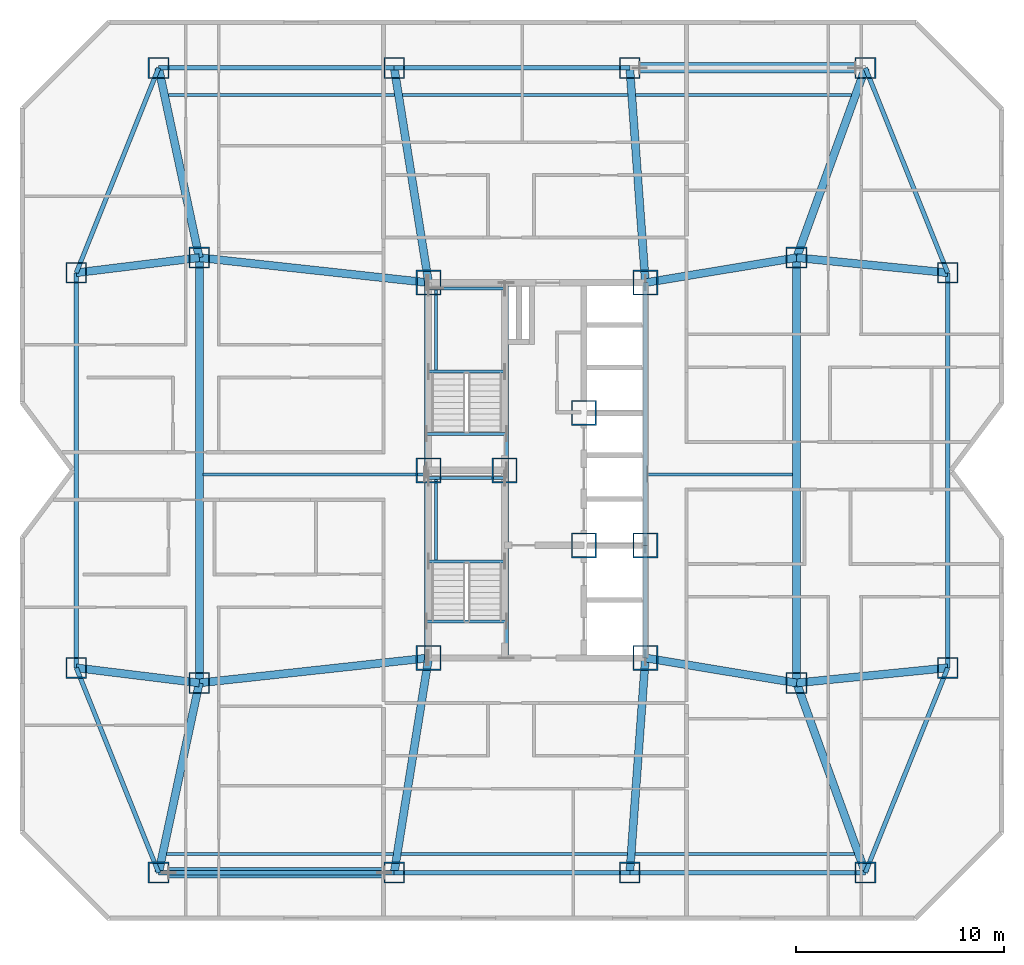
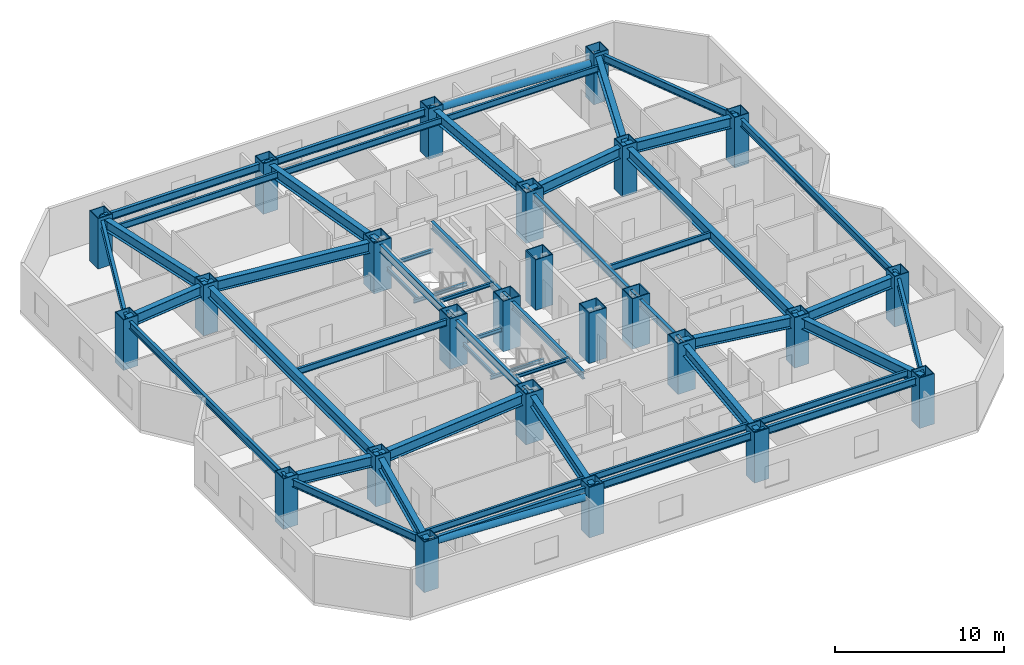
# One storey, part 1 of 10: 51 beams, 25 columns, 2 members.
"""IFC4 building model written with IfcOpenShell, lengths in metres."""

from ifc_helpers import new_model, si_unit, direction, frame, origin, origin_2d, place, context, subcontext, project, spatial, hollow_rectangle, hollow_circle, i_section, extrude, material, material_profile, profile_set, type_object, element, save


model = new_model("IFC4")

# Units and contexts
model_context = context("Model", 3, precision=1e-05, world=origin(), true_north=direction((0.0, 1.0)))
body_context = subcontext(model_context, "Body", "Model", "MODEL_VIEW")
ifc_project = project(units=[si_unit("LENGTHUNIT", "METRE"), si_unit("AREAUNIT", "SQUARE_METRE"), si_unit("VOLUMEUNIT", "CUBIC_METRE"), si_unit("PLANEANGLEUNIT", "RADIAN"), si_unit("MASSUNIT", "GRAM", prefix="KILO")], contexts=[model_context])

# Site, building, storey
site_placement = place(None, origin())
site = spatial("IfcSite", under=ifc_project, at=site_placement, CompositionType="ELEMENT")
building_placement = place(site_placement, origin())
building = spatial("IfcBuilding", under=site, at=building_placement, Name="Khamvora Tower", CompositionType="ELEMENT")
storey_placement = place(building_placement, frame((0.0, 0.0, 94.60009765625)))
storey = spatial("IfcBuildingStorey", under=building, at=storey_placement, Name="L23", CompositionType="ELEMENT", Elevation=94.60009765625)

# Columns
ifc_material_1 = material(Name="Steel S355", Category="steel")
ifc_material_profile_1 = material_profile(ifc_material_1, hollow_rectangle(XDim=1.0, YDim=1.0, WallThickness=0.050048828125, at=origin_2d()), Name="BOX1000x1000x50")
ifc_profile_set_1 = profile_set([ifc_material_profile_1], Name="Steel S355")
column_type_1 = type_object("IfcColumnType", Name="COL-BOX1000", PredefinedType="COLUMN", material=ifc_profile_set_1)
for number, where, z_axis, x_axis, name in (
    (1, (16.050048828125, 8.699951171875, 0.0), (0.0, 0.0, 1.0), (1.0, 0.0, 0.0), "L23 structural frame column S1"),
    (2, (27.35009765625, 8.699951171875, 0.0), (0.0, 0.0, 1.0), (1.0, 0.0, 0.0), "L23 structural frame column S2"),
    (3, (38.64990234375, 8.699951171875, 0.0), (0.0, 0.0, 1.0), (1.0, 0.0, 0.0), "L23 structural frame column S3"),
    (4, (49.949951171875, 8.699951171875, 0.0), (0.0, 0.0, 1.0), (1.0, 0.0, 0.0), "L23 structural frame column S4"),
    (5, (16.050048828125, 47.300048828125, 0.0), (0.0, 0.0, 1.0), (1.0, 0.0, 0.0), "L23 structural frame column N1"),
    (6, (27.35009765625, 47.300048828125, 0.0), (0.0, 0.0, 1.0), (1.0, 0.0, 0.0), "L23 structural frame column N2"),
    (7, (38.64990234375, 47.300048828125, 0.0), (0.0, 0.0, 1.0), (1.0, 0.0, 0.0), "L23 structural frame column N3"),
    (8, (49.949951171875, 47.300048828125, 0.0), (0.0, 0.0, 1.0), (1.0, 0.0, 0.0), "L23 structural frame column N4"),
    (9, (12.10009765625, 18.52490234375, 0.0), (0.0, 0.0, 1.0), (1.0, 0.0, 0.0), "L23 structural frame column W1"),
    (10, (12.10009765625, 37.47509765625, 0.0), (0.0, 0.0, 1.0), (1.0, 0.0, 0.0), "L23 structural frame column W2"),
    (11, (53.89990234375, 18.52490234375, 0.0), (0.0, 0.0, 1.0), (1.0, 0.0, 0.0), "L23 structural frame column E1"),
    (12, (53.89990234375, 37.47509765625, 0.0), (0.0, 0.0, 1.0), (1.0, 0.0, 0.0), "L23 structural frame column E2"),
    (13, (18.0, 17.800048828125, 0.0), (0.0, 0.0, 1.0), (1.0, 0.0, 0.0), "L23 structural frame column MW1"),
    (14, (18.0, 38.199951171875, 0.0), (0.0, 0.0, 1.0), (1.0, 0.0, 0.0), "L23 structural frame column MW2"),
    (15, (46.64990234375, 17.800048828125, 0.0), (0.0, 0.0, 1.0), (1.0, 0.0, 0.0), "L23 structural frame column M1"),
    (16, (46.64990234375, 38.199951171875, 0.0), (0.0, 0.0, 1.0), (1.0, 0.0, 0.0), "L23 structural frame column M2"),
):
    element("IfcColumn", number, at=place(storey_placement, frame(where, z_axis=z_axis, x_axis=x_axis)), inside=storey, type_object=column_type_1, Name=name, PredefinedType="COLUMN", context=body_context, shape_type="SweptSolid", body=[
        extrude(hollow_rectangle(XDim=1.0, YDim=1.0, WallThickness=0.050048828125, at=origin_2d()), origin(), (0.0, 0.0, 1.0), 3.64990234375),
    ])
ifc_material_2 = material(Name="Steel S460", Category="steel")
ifc_material_profile_2 = material_profile(ifc_material_2, hollow_rectangle(XDim=1.199951171875, YDim=1.199951171875, WallThickness=0.06005859375, at=origin_2d()), Name="BOX1200x1200x60")
ifc_profile_set_2 = profile_set([ifc_material_profile_2], Name="Steel S460")
column_type_2 = type_object("IfcColumnType", Name="COL-BOX1200", PredefinedType="COLUMN", material=ifc_profile_set_2)
for number, where, z_axis, x_axis, name in (
    (17, (29.0, 19.0, 0.0), (0.0, 0.0, 1.0), (1.0, 0.0, 0.0), "L23 plumb core spine column SC1"),
    (18, (32.64990234375, 28.0, 0.0), (0.0, 0.0, 1.0), (1.0, 0.0, 0.0), "L23 plumb core spine column SC2"),
    (19, (39.39990234375, 19.0, 0.0), (0.0, 0.0, 1.0), (1.0, 0.0, 0.0), "L23 plumb core spine column SC3"),
    (20, (29.0, 28.0, 0.0), (0.0, 0.0, 1.0), (1.0, 0.0, 0.0), "L23 plumb core spine column SC4"),
    (21, (36.449951171875, 24.39990234375, 0.0), (0.0, 0.0, 1.0), (1.0, 0.0, 0.0), "L23 plumb core spine column SC5"),
    (22, (39.39990234375, 24.39990234375, 0.0), (0.0, 0.0, 1.0), (1.0, 0.0, 0.0), "L23 plumb core spine column SC6"),
    (23, (29.0, 37.0, 0.0), (0.0, 0.0, 1.0), (1.0, 0.0, 0.0), "L23 plumb core spine column SC7"),
    (24, (36.449951171875, 30.75, 0.0), (0.0, 0.0, 1.0), (1.0, 0.0, 0.0), "L23 plumb core spine column SC8"),
    (25, (39.39990234375, 37.0, 0.0), (0.0, 0.0, 1.0), (1.0, 0.0, 0.0), "L23 plumb core spine column SC9"),
):
    element("IfcColumn", number, at=place(storey_placement, frame(where, z_axis=z_axis, x_axis=x_axis)), inside=storey, type_object=column_type_2, Name=name, PredefinedType="COLUMN", context=body_context, shape_type="SweptSolid", body=[
        extrude(hollow_rectangle(XDim=1.199951171875, YDim=1.199951171875, WallThickness=0.06005859375, at=origin_2d()), origin(), (0.0, 0.0, 1.0), 3.64990234375),
    ])

# Beams
ifc_material_profile_3 = material_profile(ifc_material_1, i_section(OverallWidth=0.154052734375, OverallDepth=0.458984375, WebThickness=0.009033203125, FlangeThickness=0.014892578125, FilletRadius=0.011962890625, at=origin_2d()), Name="W460x68")
ifc_profile_set_3 = profile_set([ifc_material_profile_3], Name="Steel S355")
beam_type_1 = type_object("IfcBeamType", Name="BM-JS-W460x68", PredefinedType="JOIST", material=ifc_profile_set_3)
beam_1_placement = place(storey_placement, frame((16.43310546875, 9.60009765625, 3.199951171875), z_axis=(1.0, 0.0, 0.0), x_axis=(0.0, 1.0, 0.0)))
element("IfcBeam", 26, at=beam_1_placement, inside=storey, type_object=beam_type_1, Name="L23 secondary floor joist 01", PredefinedType="JOIST", context=body_context, shape_type="SweptSolid", body=[
    extrude(i_section(OverallWidth=0.154052734375, OverallDepth=0.458984375, WebThickness=0.009033203125, FlangeThickness=0.014892578125, FilletRadius=0.011962890625, at=origin_2d()), origin(), (0.0, 0.0, 1.0), 10.872802734375),
])
beam_2_placement = place(storey_placement, frame((27.681884765625, 9.60009765625, 3.199951171875), z_axis=(1.0, 0.0, 0.0), x_axis=(0.0, 1.0, 0.0)))
element("IfcBeam", 27, at=beam_2_placement, inside=storey, type_object=beam_type_1, Name="L23 secondary floor joist 02", PredefinedType="JOIST", context=body_context, shape_type="SweptSolid", body=[
    extrude(i_section(OverallWidth=0.154052734375, OverallDepth=0.458984375, WebThickness=0.009033203125, FlangeThickness=0.014892578125, FilletRadius=0.011962890625, at=origin_2d()), origin(), (0.0, 0.0, 1.0), 10.84814453125),
])
beam_3_placement = place(storey_placement, frame((38.902099609375, 9.60009765625, 3.199951171875), z_axis=(1.0, 0.0, 0.0), x_axis=(0.0, 1.0, 0.0)))
element("IfcBeam", 28, at=beam_3_placement, inside=storey, type_object=beam_type_1, Name="L23 secondary floor joist 03", PredefinedType="JOIST", context=body_context, shape_type="SweptSolid", body=[
    extrude(i_section(OverallWidth=0.154052734375, OverallDepth=0.458984375, WebThickness=0.009033203125, FlangeThickness=0.014892578125, FilletRadius=0.011962890625, at=origin_2d()), origin(), (0.0, 0.0, 1.0), 10.52392578125),
])
beam_4_placement = place(storey_placement, frame((18.18603515625, 27.800048828125, 3.199951171875), z_axis=(1.0, 0.0, 0.0), x_axis=(0.0, 1.0, 0.0)))
element("IfcBeam", 29, at=beam_4_placement, inside=storey, type_object=beam_type_1, Name="L23 secondary floor joist 04", PredefinedType="JOIST", context=body_context, shape_type="SweptSolid", body=[
    extrude(i_section(OverallWidth=0.154052734375, OverallDepth=0.458984375, WebThickness=0.009033203125, FlangeThickness=0.014892578125, FilletRadius=0.011962890625, at=origin_2d()), origin(), (0.0, 0.0, 1.0), 10.614013671875),
])
beam_5_placement = place(storey_placement, frame((39.4990234375, 27.800048828125, 3.199951171875), z_axis=(1.0, 0.0, 0.0), x_axis=(0.0, 1.0, 0.0)))
element("IfcBeam", 30, at=beam_5_placement, inside=storey, type_object=beam_type_1, Name="L23 secondary floor joist 05", PredefinedType="JOIST", context=body_context, shape_type="SweptSolid", body=[
    extrude(i_section(OverallWidth=0.154052734375, OverallDepth=0.458984375, WebThickness=0.009033203125, FlangeThickness=0.014892578125, FilletRadius=0.011962890625, at=origin_2d()), origin(), (0.0, 0.0, 1.0), 6.966064453125),
])
beam_6_placement = place(storey_placement, frame((16.51806640625, 46.0, 3.199951171875), z_axis=(1.0, 0.0, 0.0), x_axis=(0.0, 1.0, 0.0)))
element("IfcBeam", 31, at=beam_6_placement, inside=storey, type_object=beam_type_1, Name="L23 secondary floor joist 06", PredefinedType="JOIST", context=body_context, shape_type="SweptSolid", body=[
    extrude(i_section(OverallWidth=0.154052734375, OverallDepth=0.458984375, WebThickness=0.009033203125, FlangeThickness=0.014892578125, FilletRadius=0.011962890625, at=origin_2d()), origin(), (0.0, 0.0, 1.0), 10.85205078125),
])
beam_7_placement = place(storey_placement, frame((27.74609375, 46.0, 3.199951171875), z_axis=(1.0, 0.0, 0.0), x_axis=(0.0, 1.0, 0.0)))
element("IfcBeam", 32, at=beam_7_placement, inside=storey, type_object=beam_type_1, Name="L23 secondary floor joist 07", PredefinedType="JOIST", context=body_context, shape_type="SweptSolid", body=[
    extrude(i_section(OverallWidth=0.154052734375, OverallDepth=0.458984375, WebThickness=0.009033203125, FlangeThickness=0.014892578125, FilletRadius=0.011962890625, at=origin_2d()), origin(), (0.0, 0.0, 1.0), 10.81298828125),
])
beam_8_placement = place(storey_placement, frame((38.930908203125, 46.0, 3.199951171875), z_axis=(1.0, 0.0, 0.0), x_axis=(0.0, 1.0, 0.0)))
element("IfcBeam", 33, at=beam_8_placement, inside=storey, type_object=beam_type_1, Name="L23 secondary floor joist 08", PredefinedType="JOIST", context=body_context, shape_type="SweptSolid", body=[
    extrude(i_section(OverallWidth=0.154052734375, OverallDepth=0.458984375, WebThickness=0.009033203125, FlangeThickness=0.014892578125, FilletRadius=0.011962890625, at=origin_2d()), origin(), (0.0, 0.0, 1.0), 10.35009765625),
])
ifc_material_profile_4 = material_profile(ifc_material_1, i_section(OverallWidth=0.14697265625, OverallDepth=0.261962890625, WebThickness=0.007080078125, FlangeThickness=0.010986328125, FilletRadius=0.008056640625, at=origin_2d()), Name="W250x39")
ifc_profile_set_4 = profile_set([ifc_material_profile_4], Name="Steel S355")
beam_type_2 = type_object("IfcBeamType", Name="BM-LN-W250x39", PredefinedType="LINTEL", material=ifc_profile_set_4)
for number, where, z_axis, x_axis, name in (
    (34, (29.0, 23.635009765625, 1.493896484375), (1.0, 0.0, 0.0), (0.0, 1.0, 0.0), "L23 ST-01 half-landing support beam 1.1"),
    (35, (29.0, 27.6298828125, 1.493896484375), (1.0, 0.0, 0.0), (0.0, 1.0, 0.0), "L23 ST-01 half-landing support beam 1.2"),
):
    element("IfcBeam", number, at=place(storey_placement, frame(where, z_axis=z_axis, x_axis=x_axis)), inside=storey, type_object=beam_type_2, Name=name, PredefinedType="LINTEL", context=body_context, shape_type="SweptSolid", body=[
        extrude(i_section(OverallWidth=0.14697265625, OverallDepth=0.261962890625, WebThickness=0.007080078125, FlangeThickness=0.010986328125, FilletRadius=0.008056640625, at=origin_2d()), origin(), (0.0, 0.0, 1.0), 3.64990234375),
    ])
beam_9_placement = place(storey_placement, frame((29.35009765625, 23.635009765625, 1.493896484375), z_axis=(0.0, 1.0, 0.0), x_axis=(-1.0, 0.0, 0.0)))
element("IfcBeam", 36, at=beam_9_placement, inside=storey, type_object=beam_type_2, Name="L23 ST-01 half-landing edge stringer 1", PredefinedType="LINTEL", context=body_context, shape_type="SweptSolid", body=[
    extrude(i_section(OverallWidth=0.14697265625, OverallDepth=0.261962890625, WebThickness=0.007080078125, FlangeThickness=0.010986328125, FilletRadius=0.008056640625, at=origin_2d()), origin(), (0.0, 0.0, 1.0), 3.994873046875),
])
for number, where, z_axis, x_axis, name in (
    (37, (29.0, 32.735107421875, 1.493896484375), (1.0, 0.0, 0.0), (0.0, 1.0, 0.0), "L23 ST-02 half-landing support beam 1.1"),
    (38, (29.0, 36.72998046875, 1.493896484375), (1.0, 0.0, 0.0), (0.0, 1.0, 0.0), "L23 ST-02 half-landing support beam 1.2"),
):
    element("IfcBeam", number, at=place(storey_placement, frame(where, z_axis=z_axis, x_axis=x_axis)), inside=storey, type_object=beam_type_2, Name=name, PredefinedType="LINTEL", context=body_context, shape_type="SweptSolid", body=[
        extrude(i_section(OverallWidth=0.14697265625, OverallDepth=0.261962890625, WebThickness=0.007080078125, FlangeThickness=0.010986328125, FilletRadius=0.008056640625, at=origin_2d()), origin(), (0.0, 0.0, 1.0), 3.64990234375),
    ])
beam_10_placement = place(storey_placement, frame((29.35009765625, 32.735107421875, 1.493896484375), z_axis=(0.0, 1.0, 0.0), x_axis=(-1.0, 0.0, 0.0)))
element("IfcBeam", 39, at=beam_10_placement, inside=storey, type_object=beam_type_2, Name="L23 ST-02 half-landing edge stringer 1", PredefinedType="LINTEL", context=body_context, shape_type="SweptSolid", body=[
    extrude(i_section(OverallWidth=0.14697265625, OverallDepth=0.261962890625, WebThickness=0.007080078125, FlangeThickness=0.010986328125, FilletRadius=0.008056640625, at=origin_2d()), origin(), (0.0, 0.0, 1.0), 3.994873046875),
])
for number, where, z_axis, x_axis, name in (
    (40, (28.89990234375, 20.75, 3.303955078125), (1.0, 0.0, 0.0), (0.0, 1.0, 0.0), "L23 exit stair ST-01 landing trimmer beam"),
    (41, (28.89990234375, 29.75, 3.303955078125), (1.0, 0.0, 0.0), (0.0, 1.0, 0.0), "L23 exit stair ST-02 landing trimmer beam"),
):
    element("IfcBeam", number, at=place(storey_placement, frame(where, z_axis=z_axis, x_axis=x_axis)), inside=storey, type_object=beam_type_2, Name=name, PredefinedType="LINTEL", context=body_context, shape_type="SweptSolid", body=[
        extrude(i_section(OverallWidth=0.14697265625, OverallDepth=0.261962890625, WebThickness=0.007080078125, FlangeThickness=0.010986328125, FilletRadius=0.008056640625, at=origin_2d()), origin(), (0.0, 0.0, 1.0), 3.830078125),
    ])
ifc_material_profile_5 = material_profile(ifc_material_1, i_section(OverallWidth=0.381103515625, OverallDepth=0.77294921875, WebThickness=0.01708984375, FlangeThickness=0.027099609375, FilletRadius=0.01806640625, at=origin_2d()), Name="W760x257")
ifc_profile_set_5 = profile_set([ifc_material_profile_5], Name="Steel S355")
beam_type_3 = type_object("IfcBeamType", Name="BM-PG-W760x257", PredefinedType="BEAM", material=ifc_profile_set_5)
for number, where, z_axis, x_axis, name in (
    (42, (46.64990234375, 17.800048828125, 3.0439453125), (0.0, 1.0, 0.0), (-1.0, 0.0, 0.0), "L23 longitudinal frame girder M1-M2"),
    (43, (18.0, 17.800048828125, 3.0439453125), (0.0, 1.0, 0.0), (-1.0, 0.0, 0.0), "L23 longitudinal frame girder MW1-MW2"),
):
    element("IfcBeam", number, at=place(storey_placement, frame(where, z_axis=z_axis, x_axis=x_axis)), inside=storey, type_object=beam_type_3, Name=name, PredefinedType="BEAM", context=body_context, shape_type="SweptSolid", body=[
        extrude(i_section(OverallWidth=0.381103515625, OverallDepth=0.77294921875, WebThickness=0.01708984375, FlangeThickness=0.027099609375, FilletRadius=0.01806640625, at=origin_2d()), origin(), (0.0, 0.0, 1.0), 20.39990234375),
    ])
beam_11_placement = place(storey_placement, frame((18.0, 17.800048828125, 3.0439453125), z_axis=(-0.209521922673, -0.977803949634, 0.0), x_axis=(0.977803949634, -0.209521922673, 0.0)))
element("IfcBeam", 44, at=beam_11_placement, inside=storey, type_object=beam_type_3, Name="L23 primary floor girder S1", PredefinedType="BEAM", context=body_context, shape_type="SweptSolid", body=[
    extrude(i_section(OverallWidth=0.381103515625, OverallDepth=0.77294921875, WebThickness=0.01708984375, FlangeThickness=0.027099609375, FilletRadius=0.01806640625, at=origin_2d()), origin(), (0.0, 0.0, 1.0), 9.306640625),
])
beam_12_placement = place(storey_placement, frame((29.0, 19.0, 3.0439453125), z_axis=(-0.158167584066, -0.987412282358, 0.0), x_axis=(0.987412282358, -0.158167584066, 0.0)))
element("IfcBeam", 45, at=beam_12_placement, inside=storey, type_object=beam_type_3, Name="L23 primary floor girder S2", PredefinedType="BEAM", context=body_context, shape_type="SweptSolid", body=[
    extrude(i_section(OverallWidth=0.381103515625, OverallDepth=0.77294921875, WebThickness=0.01708984375, FlangeThickness=0.027099609375, FilletRadius=0.01806640625, at=origin_2d()), origin(), (0.0, 0.0, 1.0), 10.431396484375),
])
beam_13_placement = place(storey_placement, frame((39.39990234375, 19.0, 3.0439453125), z_axis=(-0.07262291808, -0.997359469685, 0.0), x_axis=(0.997359469685, -0.07262291808, 0.0)))
element("IfcBeam", 46, at=beam_13_placement, inside=storey, type_object=beam_type_3, Name="L23 primary floor girder S3", PredefinedType="BEAM", context=body_context, shape_type="SweptSolid", body=[
    extrude(i_section(OverallWidth=0.381103515625, OverallDepth=0.77294921875, WebThickness=0.01708984375, FlangeThickness=0.027099609375, FilletRadius=0.01806640625, at=origin_2d()), origin(), (0.0, 0.0, 1.0), 10.327392578125),
])
beam_14_placement = place(storey_placement, frame((46.64990234375, 17.800048828125, 3.0439453125), z_axis=(0.340914681567, -0.940094239899, 0.0), x_axis=(0.940094239899, 0.340914681567, 0.0)))
element("IfcBeam", 47, at=beam_14_placement, inside=storey, type_object=beam_type_3, Name="L23 primary floor girder S4", PredefinedType="BEAM", context=body_context, shape_type="SweptSolid", body=[
    extrude(i_section(OverallWidth=0.381103515625, OverallDepth=0.77294921875, WebThickness=0.01708984375, FlangeThickness=0.027099609375, FilletRadius=0.01806640625, at=origin_2d()), origin(), (0.0, 0.0, 1.0), 9.679931640625),
])
beam_15_placement = place(storey_placement, frame((18.0, 38.199951171875, 3.0439453125), z_axis=(-0.209521922673, 0.977803949634, 0.0), x_axis=(-0.977803949634, -0.209521922673, 0.0)))
element("IfcBeam", 48, at=beam_15_placement, inside=storey, type_object=beam_type_3, Name="L23 primary floor girder N1", PredefinedType="BEAM", context=body_context, shape_type="SweptSolid", body=[
    extrude(i_section(OverallWidth=0.381103515625, OverallDepth=0.77294921875, WebThickness=0.01708984375, FlangeThickness=0.027099609375, FilletRadius=0.01806640625, at=origin_2d()), origin(), (0.0, 0.0, 1.0), 9.306640625),
])
beam_16_placement = place(storey_placement, frame((29.0, 37.0, 3.0439453125), z_axis=(-0.158167584066, 0.987412282358, 0.0), x_axis=(-0.987412282358, -0.158167584066, 0.0)))
element("IfcBeam", 49, at=beam_16_placement, inside=storey, type_object=beam_type_3, Name="L23 primary floor girder N2", PredefinedType="BEAM", context=body_context, shape_type="SweptSolid", body=[
    extrude(i_section(OverallWidth=0.381103515625, OverallDepth=0.77294921875, WebThickness=0.01708984375, FlangeThickness=0.027099609375, FilletRadius=0.01806640625, at=origin_2d()), origin(), (0.0, 0.0, 1.0), 10.431396484375),
])
beam_17_placement = place(storey_placement, frame((39.39990234375, 37.0, 3.0439453125), z_axis=(-0.07262291808, 0.997359469685, 0.0), x_axis=(-0.997359469685, -0.07262291808, 0.0)))
element("IfcBeam", 50, at=beam_17_placement, inside=storey, type_object=beam_type_3, Name="L23 primary floor girder N3", PredefinedType="BEAM", context=body_context, shape_type="SweptSolid", body=[
    extrude(i_section(OverallWidth=0.381103515625, OverallDepth=0.77294921875, WebThickness=0.01708984375, FlangeThickness=0.027099609375, FilletRadius=0.01806640625, at=origin_2d()), origin(), (0.0, 0.0, 1.0), 10.327392578125),
])
beam_18_placement = place(storey_placement, frame((46.64990234375, 38.199951171875, 3.0439453125), z_axis=(0.340914681567, 0.940094239899, 0.0), x_axis=(-0.940094239899, 0.340914681567, 0.0)))
element("IfcBeam", 51, at=beam_18_placement, inside=storey, type_object=beam_type_3, Name="L23 primary floor girder N4", PredefinedType="BEAM", context=body_context, shape_type="SweptSolid", body=[
    extrude(i_section(OverallWidth=0.381103515625, OverallDepth=0.77294921875, WebThickness=0.01708984375, FlangeThickness=0.027099609375, FilletRadius=0.01806640625, at=origin_2d()), origin(), (0.0, 0.0, 1.0), 9.679931640625),
])
for number, where, z_axis, x_axis, name in (
    (52, (18.0, 17.800048828125, 3.0439453125), (-0.992537264608, 0.12194170068, 0.0), (-0.12194170068, -0.992537264608, 0.0), "L23 primary floor girder W1"),
    (53, (18.0, 38.199951171875, 3.0439453125), (-0.992537264608, -0.12194170068, 0.0), (0.12194170068, -0.992537264608, 0.0), "L23 primary floor girder W2"),
):
    element("IfcBeam", number, at=place(storey_placement, frame(where, z_axis=z_axis, x_axis=x_axis)), inside=storey, type_object=beam_type_3, Name=name, PredefinedType="BEAM", context=body_context, shape_type="SweptSolid", body=[
        extrude(i_section(OverallWidth=0.381103515625, OverallDepth=0.77294921875, WebThickness=0.01708984375, FlangeThickness=0.027099609375, FilletRadius=0.01806640625, at=origin_2d()), origin(), (0.0, 0.0, 1.0), 5.9443359375),
    ])
for number, where, z_axis, x_axis, name in (
    (54, (46.64990234375, 17.800048828125, 3.0439453125), (0.995039180556, 0.099483813546, 0.0), (-0.099483813546, 0.995039180556, 0.0), "L23 primary floor girder E1"),
    (55, (46.64990234375, 38.199951171875, 3.0439453125), (0.995039180556, -0.099483813546, 0.0), (0.099483813546, 0.995039180556, 0.0), "L23 primary floor girder E2"),
):
    element("IfcBeam", number, at=place(storey_placement, frame(where, z_axis=z_axis, x_axis=x_axis)), inside=storey, type_object=beam_type_3, Name=name, PredefinedType="BEAM", context=body_context, shape_type="SweptSolid", body=[
        extrude(i_section(OverallWidth=0.381103515625, OverallDepth=0.77294921875, WebThickness=0.01708984375, FlangeThickness=0.027099609375, FilletRadius=0.01806640625, at=origin_2d()), origin(), (0.0, 0.0, 1.0), 7.2861328125),
    ])
for number, where, z_axis, x_axis, name in (
    (56, (29.0, 19.0, 3.0439453125), (-0.994102652327, -0.108443149329, 0.0), (0.108443149329, -0.994102652327, 0.0), "L23 primary floor girder MW1"),
    (57, (29.0, 37.0, 3.0439453125), (-0.994102652327, 0.108443149329, 0.0), (-0.108443149329, -0.994102652327, 0.0), "L23 primary floor girder MW2"),
):
    element("IfcBeam", number, at=place(storey_placement, frame(where, z_axis=z_axis, x_axis=x_axis)), inside=storey, type_object=beam_type_3, Name=name, PredefinedType="BEAM", context=body_context, shape_type="SweptSolid", body=[
        extrude(i_section(OverallWidth=0.381103515625, OverallDepth=0.77294921875, WebThickness=0.01708984375, FlangeThickness=0.027099609375, FilletRadius=0.01806640625, at=origin_2d()), origin(), (0.0, 0.0, 1.0), 11.065185546875),
    ])
for number, where, z_axis, x_axis, name in (
    (58, (39.39990234375, 19.0, 3.0439453125), (0.986578268552, -0.163289068896, 0.0), (0.163289068896, 0.986578268552, 0.0), "L23 primary floor girder M1"),
    (59, (39.39990234375, 37.0, 3.0439453125), (0.986578268552, 0.163289068896, 0.0), (-0.163289068896, 0.986578268552, 0.0), "L23 primary floor girder M2"),
):
    element("IfcBeam", number, at=place(storey_placement, frame(where, z_axis=z_axis, x_axis=x_axis)), inside=storey, type_object=beam_type_3, Name=name, PredefinedType="BEAM", context=body_context, shape_type="SweptSolid", body=[
        extrude(i_section(OverallWidth=0.381103515625, OverallDepth=0.77294921875, WebThickness=0.01708984375, FlangeThickness=0.027099609375, FilletRadius=0.01806640625, at=origin_2d()), origin(), (0.0, 0.0, 1.0), 7.3486328125),
    ])
ifc_material_profile_6 = material_profile(ifc_material_1, i_section(OverallWidth=0.2119140625, OverallDepth=0.5439453125, WebThickness=0.012939453125, FlangeThickness=0.02099609375, FilletRadius=0.013916015625, at=origin_2d()), Name="W530x123")
ifc_profile_set_6 = profile_set([ifc_material_profile_6], Name="Steel S355")
beam_type_4 = type_object("IfcBeamType", Name="BM-SP-W530x123", PredefinedType="SPANDREL", material=ifc_profile_set_6)
beam_19_placement = place(storey_placement, frame((12.10009765625, 18.52490234375, 3.157958984375), z_axis=(0.373015921536, -0.927824941614, 0.0), x_axis=(0.927824941614, 0.373015921536, 0.0)))
element("IfcBeam", 60, at=beam_19_placement, inside=storey, type_object=beam_type_4, Name="L23 perimeter spandrel beam W1-S1", PredefinedType="SPANDREL", context=body_context, shape_type="SweptSolid", body=[
    extrude(i_section(OverallWidth=0.2119140625, OverallDepth=0.5439453125, WebThickness=0.012939453125, FlangeThickness=0.02099609375, FilletRadius=0.013916015625, at=origin_2d()), origin(), (0.0, 0.0, 1.0), 10.589111328125),
])
beam_20_placement = place(storey_placement, frame((16.050048828125, 8.699951171875, 3.157958984375), z_axis=(1.0, 0.0, 0.0), x_axis=(0.0, 1.0, 0.0)))
element("IfcBeam", 61, at=beam_20_placement, inside=storey, type_object=beam_type_4, Name="L23 perimeter spandrel beam S1-S2", PredefinedType="SPANDREL", context=body_context, shape_type="SweptSolid", body=[
    extrude(i_section(OverallWidth=0.2119140625, OverallDepth=0.5439453125, WebThickness=0.012939453125, FlangeThickness=0.02099609375, FilletRadius=0.013916015625, at=origin_2d()), origin(), (0.0, 0.0, 1.0), 11.300048828125),
])
beam_21_placement = place(storey_placement, frame((27.35009765625, 8.699951171875, 3.157958984375), z_axis=(1.0, 0.0, 0.0), x_axis=(0.0, 1.0, 0.0)))
element("IfcBeam", 62, at=beam_21_placement, inside=storey, type_object=beam_type_4, Name="L23 perimeter spandrel beam S2-S3", PredefinedType="SPANDREL", context=body_context, shape_type="SweptSolid", body=[
    extrude(i_section(OverallWidth=0.2119140625, OverallDepth=0.5439453125, WebThickness=0.012939453125, FlangeThickness=0.02099609375, FilletRadius=0.013916015625, at=origin_2d()), origin(), (0.0, 0.0, 1.0), 11.2998046875),
])
beam_22_placement = place(storey_placement, frame((38.64990234375, 8.699951171875, 3.157958984375), z_axis=(1.0, 0.0, 0.0), x_axis=(0.0, 1.0, 0.0)))
element("IfcBeam", 63, at=beam_22_placement, inside=storey, type_object=beam_type_4, Name="L23 perimeter spandrel beam S3-S4", PredefinedType="SPANDREL", context=body_context, shape_type="SweptSolid", body=[
    extrude(i_section(OverallWidth=0.2119140625, OverallDepth=0.5439453125, WebThickness=0.012939453125, FlangeThickness=0.02099609375, FilletRadius=0.013916015625, at=origin_2d()), origin(), (0.0, 0.0, 1.0), 11.300048828125),
])
beam_23_placement = place(storey_placement, frame((49.949951171875, 8.699951171875, 3.157958984375), z_axis=(0.373015921536, 0.927824941614, 0.0), x_axis=(-0.927824941614, 0.373015921536, 0.0)))
element("IfcBeam", 64, at=beam_23_placement, inside=storey, type_object=beam_type_4, Name="L23 perimeter spandrel beam S4-E1", PredefinedType="SPANDREL", context=body_context, shape_type="SweptSolid", body=[
    extrude(i_section(OverallWidth=0.2119140625, OverallDepth=0.5439453125, WebThickness=0.012939453125, FlangeThickness=0.02099609375, FilletRadius=0.013916015625, at=origin_2d()), origin(), (0.0, 0.0, 1.0), 10.589111328125),
])
beam_24_placement = place(storey_placement, frame((53.89990234375, 18.52490234375, 3.157958984375), z_axis=(0.0, 1.0, 0.0), x_axis=(-1.0, 0.0, 0.0)))
element("IfcBeam", 65, at=beam_24_placement, inside=storey, type_object=beam_type_4, Name="L23 perimeter spandrel beam E1-E2", PredefinedType="SPANDREL", context=body_context, shape_type="SweptSolid", body=[
    extrude(i_section(OverallWidth=0.2119140625, OverallDepth=0.5439453125, WebThickness=0.012939453125, FlangeThickness=0.02099609375, FilletRadius=0.013916015625, at=origin_2d()), origin(), (0.0, 0.0, 1.0), 18.9501953125),
])
beam_25_placement = place(storey_placement, frame((53.89990234375, 37.47509765625, 3.157958984375), z_axis=(-0.373015921536, 0.927824941614, 0.0), x_axis=(-0.927824941614, -0.373015921536, 0.0)))
element("IfcBeam", 66, at=beam_25_placement, inside=storey, type_object=beam_type_4, Name="L23 perimeter spandrel beam E2-N4", PredefinedType="SPANDREL", context=body_context, shape_type="SweptSolid", body=[
    extrude(i_section(OverallWidth=0.2119140625, OverallDepth=0.5439453125, WebThickness=0.012939453125, FlangeThickness=0.02099609375, FilletRadius=0.013916015625, at=origin_2d()), origin(), (0.0, 0.0, 1.0), 10.589111328125),
])
beam_26_placement = place(storey_placement, frame((38.64990234375, 47.300048828125, 3.157958984375), z_axis=(-1.0, 0.0, 0.0), x_axis=(0.0, -1.0, 0.0)))
element("IfcBeam", 67, at=beam_26_placement, inside=storey, type_object=beam_type_4, Name="L23 perimeter spandrel beam N3-N2", PredefinedType="SPANDREL", context=body_context, shape_type="SweptSolid", body=[
    extrude(i_section(OverallWidth=0.2119140625, OverallDepth=0.5439453125, WebThickness=0.012939453125, FlangeThickness=0.02099609375, FilletRadius=0.013916015625, at=origin_2d()), origin(), (0.0, 0.0, 1.0), 11.2998046875),
])
beam_27_placement = place(storey_placement, frame((27.35009765625, 47.300048828125, 3.157958984375), z_axis=(-1.0, 0.0, 0.0), x_axis=(0.0, -1.0, 0.0)))
element("IfcBeam", 68, at=beam_27_placement, inside=storey, type_object=beam_type_4, Name="L23 perimeter spandrel beam N2-N1", PredefinedType="SPANDREL", context=body_context, shape_type="SweptSolid", body=[
    extrude(i_section(OverallWidth=0.2119140625, OverallDepth=0.5439453125, WebThickness=0.012939453125, FlangeThickness=0.02099609375, FilletRadius=0.013916015625, at=origin_2d()), origin(), (0.0, 0.0, 1.0), 11.300048828125),
])
beam_28_placement = place(storey_placement, frame((16.050048828125, 47.300048828125, 3.157958984375), z_axis=(-0.373015921536, -0.927824941614, 0.0), x_axis=(0.927824941614, -0.373015921536, 0.0)))
element("IfcBeam", 69, at=beam_28_placement, inside=storey, type_object=beam_type_4, Name="L23 perimeter spandrel beam N1-W2", PredefinedType="SPANDREL", context=body_context, shape_type="SweptSolid", body=[
    extrude(i_section(OverallWidth=0.2119140625, OverallDepth=0.5439453125, WebThickness=0.012939453125, FlangeThickness=0.02099609375, FilletRadius=0.013916015625, at=origin_2d()), origin(), (0.0, 0.0, 1.0), 10.589111328125),
])
beam_29_placement = place(storey_placement, frame((12.10009765625, 37.47509765625, 3.157958984375), z_axis=(0.0, -1.0, 0.0), x_axis=(1.0, 0.0, 0.0)))
element("IfcBeam", 70, at=beam_29_placement, inside=storey, type_object=beam_type_4, Name="L23 perimeter spandrel beam W2-W1", PredefinedType="SPANDREL", context=body_context, shape_type="SweptSolid", body=[
    extrude(i_section(OverallWidth=0.2119140625, OverallDepth=0.5439453125, WebThickness=0.012939453125, FlangeThickness=0.02099609375, FilletRadius=0.013916015625, at=origin_2d()), origin(), (0.0, 0.0, 1.0), 18.9501953125),
])
ifc_material_profile_7 = material_profile(ifc_material_1, i_section(OverallWidth=0.208984375, OverallDepth=0.532958984375, WebThickness=0.010009765625, FlangeThickness=0.01611328125, FilletRadius=0.013916015625, at=origin_2d()), Name="W530x92")
ifc_profile_set_7 = profile_set([ifc_material_profile_7], Name="Steel S355")
beam_type_5 = type_object("IfcBeamType", Name="BM-SP-W530x92", PredefinedType="SPANDREL", material=ifc_profile_set_7)
for number, where, z_axis, x_axis, name in (
    (71, (28.89990234375, 19.0, 3.163818359375), (0.0, 1.0, 0.0), (-1.0, 0.0, 0.0), "L23 core spine girder WS"),
    (72, (28.89990234375, 28.0, 3.163818359375), (0.0, 1.0, 0.0), (-1.0, 0.0, 0.0), "L23 core spine girder WN"),
    (73, (32.72998046875, 19.0, 3.163818359375), (0.0, 1.0, 0.0), (-1.0, 0.0, 0.0), "L23 core spine girder M1S"),
    (74, (32.72998046875, 28.0, 3.163818359375), (0.0, 1.0, 0.0), (-1.0, 0.0, 0.0), "L23 core spine girder M1N"),
):
    element("IfcBeam", number, at=place(storey_placement, frame(where, z_axis=z_axis, x_axis=x_axis)), inside=storey, type_object=beam_type_5, Name=name, PredefinedType="SPANDREL", context=body_context, shape_type="SweptSolid", body=[
        extrude(i_section(OverallWidth=0.208984375, OverallDepth=0.532958984375, WebThickness=0.010009765625, FlangeThickness=0.01611328125, FilletRadius=0.013916015625, at=origin_2d()), origin(), (0.0, 0.0, 1.0), 9.0),
    ])
beam_30_placement = place(storey_placement, frame((39.39990234375, 19.0, 3.163818359375), z_axis=(0.0, 1.0, 0.0), x_axis=(-1.0, 0.0, 0.0)))
element("IfcBeam", 75, at=beam_30_placement, inside=storey, type_object=beam_type_5, Name="L23 core spine girder ES", PredefinedType="SPANDREL", context=body_context, shape_type="SweptSolid", body=[
    extrude(i_section(OverallWidth=0.208984375, OverallDepth=0.532958984375, WebThickness=0.010009765625, FlangeThickness=0.01611328125, FilletRadius=0.013916015625, at=origin_2d()), origin(), (0.0, 0.0, 1.0), 5.39990234375),
])
beam_31_placement = place(storey_placement, frame((39.39990234375, 24.39990234375, 3.163818359375), z_axis=(0.0, 1.0, 0.0), x_axis=(-1.0, 0.0, 0.0)))
element("IfcBeam", 76, at=beam_31_placement, inside=storey, type_object=beam_type_5, Name="L23 core spine girder EN", PredefinedType="SPANDREL", context=body_context, shape_type="SweptSolid", body=[
    extrude(i_section(OverallWidth=0.208984375, OverallDepth=0.532958984375, WebThickness=0.010009765625, FlangeThickness=0.01611328125, FilletRadius=0.013916015625, at=origin_2d()), origin(), (0.0, 0.0, 1.0), 12.60009765625),
])

# Members
ifc_material_profile_8 = material_profile(ifc_material_2, hollow_circle(Radius=0.25390625, WallThickness=0.02490234375, at=origin_2d()), Name="CHS508x25")
ifc_profile_set_8 = profile_set([ifc_material_profile_8], Name="Steel S460")
member_type = type_object("IfcMemberType", Name="MEM-BR-CHS508", PredefinedType="BRACE", material=ifc_profile_set_8)
for number, where, z_axis, x_axis, name in (
    (77, (26.8701171875, 8.699951171875, 2.699951171875), (-0.999092084621, 0.0, 0.042602892471), (0.0, -1.0, 0.0), "L23 perimeter wind brace 1"),
    (78, (49.469970703125, 47.300048828125, 2.699951171875), (-0.999092084621, 0.0, 0.042602892471), (0.0, -1.0, 0.0), "L23 perimeter wind brace 2"),
):
    element("IfcMember", number, at=place(storey_placement, frame(where, z_axis=z_axis, x_axis=x_axis)), inside=storey, type_object=member_type, Name=name, PredefinedType="BRACE", context=body_context, shape_type="SweptSolid", body=[
        extrude(hollow_circle(Radius=0.25390625, WallThickness=0.02490234375, at=origin_2d()), origin(), (0.0, 0.0, 1.0), 10.349365234375),
    ])

save(model, "model.ifc")
